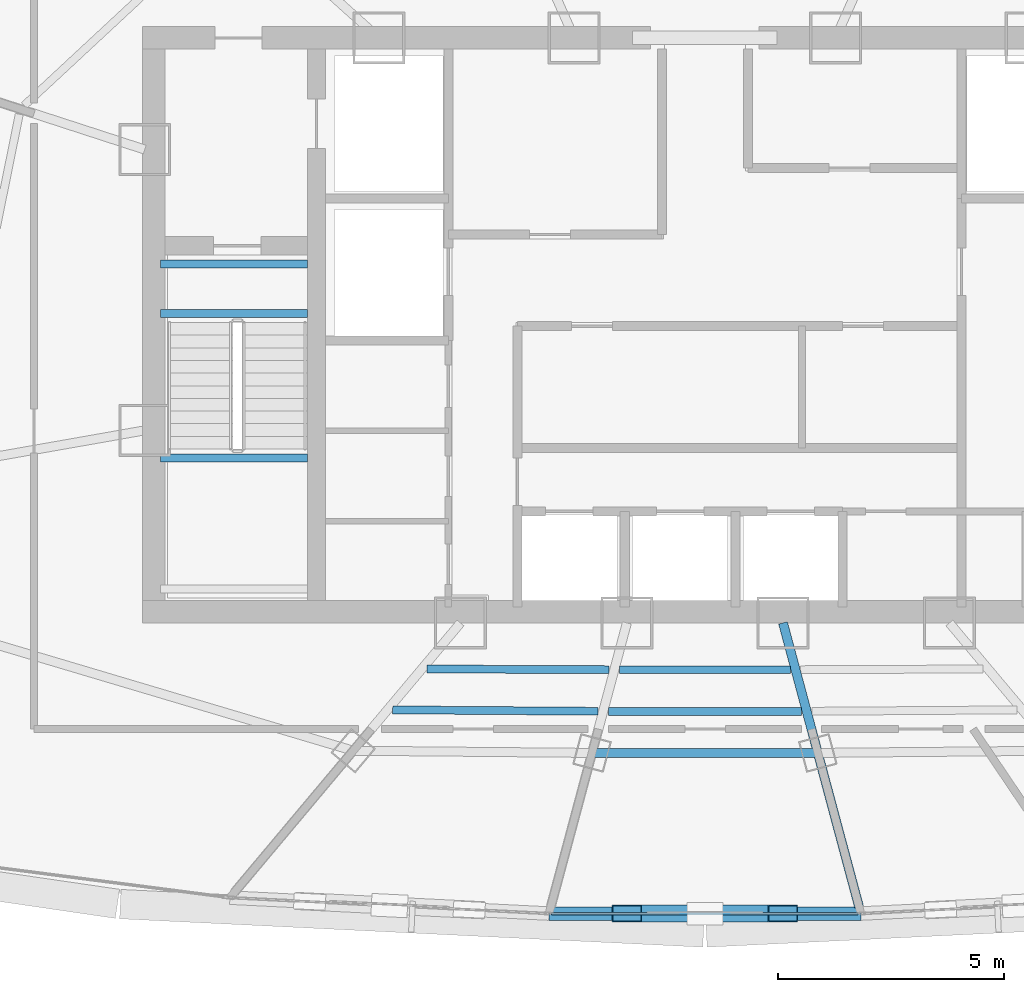
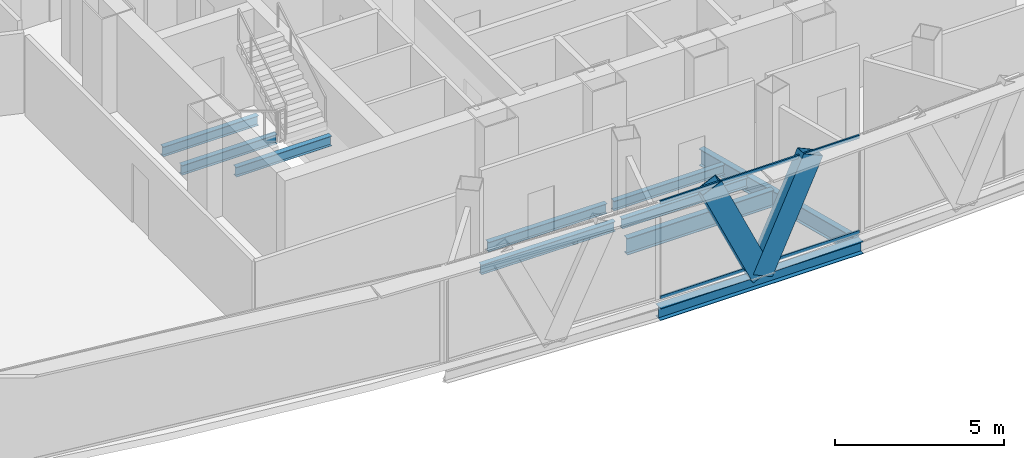
# One storey, part 7 of 33: 10 beams, 4 members, 1 element without a shape of its own.
"""IFC4 building model written with IfcOpenShell, lengths in metres."""

from ifc_helpers import new_model, si_unit, direction, frame, origin, origin_2d, place, context, subcontext, project, spatial, hollow_rectangle, i_section, extrude, source, transform, mapped, material, layer, layer_set, material_profile, profile_set, type_object, element, aggregate, save


model = new_model("IFC4")

# Units and contexts
model_context = context("Model", 3, precision=1e-05, world=origin(), true_north=direction((0.0, 1.0)))
body_context = subcontext(model_context, "Body", "Model", "MODEL_VIEW")
ifc_project = project(units=[si_unit("LENGTHUNIT", "METRE"), si_unit("AREAUNIT", "SQUARE_METRE"), si_unit("VOLUMEUNIT", "CUBIC_METRE"), si_unit("PLANEANGLEUNIT", "RADIAN"), si_unit("MASSUNIT", "GRAM", prefix="KILO"), si_unit("THERMODYNAMICTEMPERATUREUNIT", "KELVIN"), si_unit("POWERUNIT", "WATT")], contexts=[model_context])

# Site, building, storey
site_placement = place(None, origin())
site = spatial("IfcSite", under=ifc_project, at=site_placement, CompositionType="ELEMENT")
building_placement = place(site_placement, origin())
building = spatial("IfcBuilding", under=site, at=building_placement, Name="Yunzhuo Pagoda Commons", CompositionType="ELEMENT")
storey_placement = place(building_placement, frame((0.0, 0.0, 329.260009765625)))
storey = spatial("IfcBuildingStorey", under=building, at=storey_placement, Name="L82", CompositionType="ELEMENT", Elevation=329.260009765625)

# Beams
ifc_material_1 = material(Name="Structural steel Q355B", Category="steel")
ifc_material_profile_1 = material_profile(ifc_material_1, i_section(OverallWidth=0.175048828125, OverallDepth=0.35009765625, WebThickness=0.007080078125, FlangeThickness=0.010986328125, at=origin_2d()), Name="Structural steel Q355B")
ifc_profile_set_1 = profile_set([ifc_material_profile_1], Name="Structural steel Q355B")
beam_type_1 = type_object("IfcBeamType", Name="B-JS2 Joist HN 350x175x7x11", PredefinedType="JOIST", material=ifc_profile_set_1)
shared_shape_1 = source(origin(), body_context, "Body", "SweptSolid", [
    extrude(i_section(OverallWidth=0.175048828125, OverallDepth=0.35009765625, WebThickness=0.007080078125, FlangeThickness=0.010986328125, at=origin_2d()), origin(), (0.0, 0.0, 1.0), 3.25),
])
for number, where, z_axis, x_axis, name in (
    (1, (35.949951171875, 30.89990234375, 1.5), (1.0, 0.0, 0.0), (0.0, 1.0, 0.0), "L82 ST1 landing support beam 88B"),
    (2, (35.949951171875, 34.10009765625, -0.375), (1.0, 0.0, 0.0), (0.0, 1.0, 0.0), "L82 ST1 landing support beam 186A"),
    (3, (35.949951171875, 35.199951171875, -0.375), (1.0, 0.0, 0.0), (0.0, 1.0, 0.0), "L82 ST1 landing support beam 186B"),
):
    element("IfcBeam", number, at=place(storey_placement, frame(where, z_axis=z_axis, x_axis=x_axis)), inside=storey, type_object=beam_type_1, Name=name, PredefinedType="JOIST", context=body_context, shape_type="MappedRepresentation", body=[
        mapped(shared_shape_1, transform((0.0, 0.0, 0.0), scale=1.0)),
    ])
ifc_material_profile_2 = material_profile(ifc_material_1, i_section(OverallWidth=0.300048828125, OverallDepth=0.43994140625, WebThickness=0.010986328125, FlangeThickness=0.01806640625, at=origin_2d()), Name="Structural steel Q355B")
ifc_profile_set_2 = profile_set([ifc_material_profile_2], Name="Structural steel Q355B")
beam_type_2 = type_object("IfcBeamType", Name="B-SP2 Beam HM 440x300x11x18", PredefinedType="BEAM", material=ifc_profile_set_2)
shared_shape_2 = source(origin(), body_context, "Body", "SweptSolid", [
    extrude(i_section(OverallWidth=0.300048828125, OverallDepth=0.43994140625, WebThickness=0.010986328125, FlangeThickness=0.01806640625, at=origin_2d()), origin(), (0.0, 0.0, 1.0), 6.90380859375),
])
beam_1_placement = place(storey_placement, frame((44.548095703125, 20.817138671875, -0.47998046875), z_axis=(1.0, 0.0, 0.0), x_axis=(0.0, 1.0, 0.0)))
element("IfcBeam", 4, at=beam_1_placement, inside=storey, type_object=beam_type_2, Name="L82 facade edge spandrel beam F1.2", PredefinedType="BEAM", context=body_context, shape_type="MappedRepresentation", body=[
    mapped(shared_shape_2, transform((0.0, 0.0, 0.0), scale=1.0)),
])
ifc_material_profile_3 = material_profile(ifc_material_1, i_section(OverallWidth=0.199951171875, OverallDepth=0.60009765625, WebThickness=0.010986328125, FlangeThickness=0.01708984375, at=origin_2d()), Name="Structural steel Q355B")
ifc_profile_set_3 = profile_set([ifc_material_profile_3], Name="Structural steel Q355B")
beam_type_3 = type_object("IfcBeamType", Name="B-RG3 Beam HN 600x200x11x17", PredefinedType="BEAM", material=ifc_profile_set_3)
shared_shape_3 = source(origin(), body_context, "Body", "SweptSolid", [
    extrude(i_section(OverallWidth=0.199951171875, OverallDepth=0.60009765625, WebThickness=0.010986328125, FlangeThickness=0.01708984375, at=origin_2d()), origin(), (0.0, 0.0, 1.0), 4.99853515625),
])
beam_2_placement = place(storey_placement, frame((45.500732421875, 24.372802734375, -0.56005859375), z_axis=(1.0, 0.0, 0.0), x_axis=(0.0, 1.0, 0.0)))
element("IfcBeam", 5, at=beam_2_placement, inside=storey, type_object=beam_type_3, Name="L82 column-ring beam 2", PredefinedType="BEAM", context=body_context, shape_type="MappedRepresentation", body=[
    mapped(shared_shape_3, transform((0.0, 0.0, 0.0), scale=1.0)),
])
shared_shape_4 = source(origin(), body_context, "Body", "SweptSolid", [
    extrude(i_section(OverallWidth=0.199951171875, OverallDepth=0.60009765625, WebThickness=0.010986328125, FlangeThickness=0.01708984375, at=origin_2d()), origin(), (0.0, 0.0, 1.0), 6.5048828125),
])
beam_3_placement = place(storey_placement, frame((51.411865234375, 20.966796875, -0.56005859375), z_axis=(-0.258786113229, 0.965934649756, 0.0), x_axis=(-0.965934649756, -0.258786113229, 0.0)))
element("IfcBeam", 6, at=beam_3_placement, inside=storey, type_object=beam_type_3, Name="L82 radial floor girder F1C3", PredefinedType="BEAM", context=body_context, shape_type="MappedRepresentation", body=[
    mapped(shared_shape_4, transform((0.0, 0.0, 0.0), scale=1.0)),
])
shared_shape_5 = source(origin(), body_context, "Body", "SweptSolid", [
    extrude(i_section(OverallWidth=0.175048828125, OverallDepth=0.35009765625, WebThickness=0.007080078125, FlangeThickness=0.010986328125, at=origin_2d()), origin(), (0.0, 0.0, 1.0), 4.03076171875),
])
beam_4_placement = place(storey_placement, frame((41.848388671875, 26.231201171875, -0.43505859375), z_axis=(0.999991518197, -0.004118680996, 0.0), x_axis=(0.004118680996, 0.999991518197, 0.0)))
element("IfcBeam", 7, at=beam_4_placement, inside=storey, type_object=beam_type_1, Name="L82 composite ring joist 1.1", PredefinedType="JOIST", context=body_context, shape_type="MappedRepresentation", body=[
    mapped(shared_shape_5, transform((0.0, 0.0, 0.0), scale=1.0)),
])
shared_shape_6 = source(origin(), body_context, "Body", "SweptSolid", [
    extrude(i_section(OverallWidth=0.175048828125, OverallDepth=0.35009765625, WebThickness=0.007080078125, FlangeThickness=0.010986328125, at=origin_2d()), origin(), (0.0, 0.0, 1.0), 4.54345703125),
])
beam_5_placement = place(storey_placement, frame((41.089111328125, 25.325927734375, -0.43505859375), z_axis=(0.999975976237, -0.006931590593, 0.0), x_axis=(0.006931590593, 0.999975976237, 0.0)))
element("IfcBeam", 8, at=beam_5_placement, inside=storey, type_object=beam_type_1, Name="L82 composite ring joist 2.1", PredefinedType="JOIST", context=body_context, shape_type="MappedRepresentation", body=[
    mapped(shared_shape_6, transform((0.0, 0.0, 0.0), scale=1.0)),
])
shared_shape_7 = source(origin(), body_context, "Body", "SweptSolid", [
    extrude(i_section(OverallWidth=0.175048828125, OverallDepth=0.35009765625, WebThickness=0.007080078125, FlangeThickness=0.010986328125, at=origin_2d()), origin(), (0.0, 0.0, 1.0), 3.78173828125),
])
beam_6_placement = place(storey_placement, frame((46.109130859375, 26.214111328125, -0.43505859375), z_axis=(1.0, 0.0, 0.0), x_axis=(0.0, 1.0, 0.0)))
element("IfcBeam", 9, at=beam_6_placement, inside=storey, type_object=beam_type_1, Name="L82 composite ring joist 1.2", PredefinedType="JOIST", context=body_context, shape_type="MappedRepresentation", body=[
    mapped(shared_shape_7, transform((0.0, 0.0, 0.0), scale=1.0)),
])
shared_shape_8 = source(origin(), body_context, "Body", "SweptSolid", [
    extrude(i_section(OverallWidth=0.175048828125, OverallDepth=0.35009765625, WebThickness=0.007080078125, FlangeThickness=0.010986328125, at=origin_2d()), origin(), (0.0, 0.0, 1.0), 4.27490234375),
])
beam_7_placement = place(storey_placement, frame((45.862548828125, 25.29345703125, -0.43505859375), z_axis=(1.0, 0.0, 0.0), x_axis=(0.0, 1.0, 0.0)))
element("IfcBeam", 10, at=beam_7_placement, inside=storey, type_object=beam_type_1, Name="L82 composite ring joist 2.2", PredefinedType="JOIST", context=body_context, shape_type="MappedRepresentation", body=[
    mapped(shared_shape_8, transform((0.0, 0.0, 0.0), scale=1.0)),
])

# Members
ifc_material_profile_4 = material_profile(ifc_material_1, hollow_rectangle(XDim=0.3798828125, YDim=0.719970703125, WallThickness=0.02001953125, at=origin_2d()), Name="Structural steel Q355B")
ifc_profile_set_4 = profile_set([ifc_material_profile_4], Name="Structural steel Q355B")
member_type_1 = type_object("IfcMemberType", Name="M-DL3 Brace BOX 720x380x20", PredefinedType="BRACE", material=ifc_profile_set_4)
shared_shape_9 = source(origin(), body_context, "Body", "SweptSolid", [
    extrude(hollow_rectangle(XDim=0.3798828125, YDim=0.719970703125, WallThickness=0.02001953125, at=origin_2d()), origin(), (0.0, 0.0, 1.0), 4.128173828125),
])
for number, where, z_axis, x_axis, name in (
    (11, (48.0, 20.817138671875, -0.260009765625), (-0.418120367397, 0.0, 0.908391632705), (0.0, -1.0, 0.0), "L82 facade diamond brace F1.2L"),
    (12, (48.0, 20.817138671875, -0.260009765625), (0.418120367397, 0.0, 0.908391632705), (0.0, 1.0, 0.0), "L82 facade diamond brace F1.2R"),
):
    element("IfcMember", number, at=place(storey_placement, frame(where, z_axis=z_axis, x_axis=x_axis)), inside=storey, type_object=member_type_1, Name=name, PredefinedType="BRACE", context=body_context, shape_type="MappedRepresentation", body=[
        mapped(shared_shape_9, transform((0.0, 0.0, 0.0), scale=1.0)),
    ])

# Curtain wall, members
ifc_material_2 = material(Name="Anodized aluminium 6063-T6", Category="aluminium")
ifc_layer = layer(ifc_material_2, 0.139892578125)
ifc_layer_set = layer_set([ifc_layer], Name="Anodized aluminium 6063-T6")
curtain_wall_type = type_object("IfcCurtainWallType", Name="CW-HI High-Zone Ribbon Curtain Wall", PredefinedType="NOTDEFINED", material=ifc_layer_set)
curtain_wall_placement = place(storey_placement, origin())
curtain_wall = element("IfcCurtainWall", 13, at=curtain_wall_placement, inside=storey, type_object=curtain_wall_type, Name="L82 curtain wall CW-L82-F1B3", PredefinedType="NOTDEFINED")
ifc_material_profile_5 = material_profile(ifc_material_2, hollow_rectangle(XDim=0.054931640625, YDim=0.1201171875, WallThickness=0.00341796875, at=origin_2d()), Name="Anodized aluminium 6063-T6")
ifc_profile_set_5 = profile_set([ifc_material_profile_5], Name="Anodized aluminium 6063-T6")
member_type_2 = type_object("IfcMemberType", Name="CW-HI-T Transom RHS 120x55x3.5", PredefinedType="USERDEFINED", material=ifc_profile_set_5)
shared_shape_10 = source(origin(), body_context, "Body", "SweptSolid", [
    extrude(hollow_rectangle(XDim=0.054931640625, YDim=0.1201171875, WallThickness=0.00341796875, at=origin_2d()), origin(), (0.0, 0.0, 1.0), 6.7841796875),
])
member_1_placement = place(storey_placement, frame((44.60791015625, 20.817138671875, 0.027587890625), z_axis=(1.0, 0.0, 0.0), x_axis=(0.0, 1.0, 0.0)))
member_1 = element("IfcMember", 14, at=member_1_placement, type_object=member_type_2, Name="CW transom 1.1", ObjectType="TRANSOM", PredefinedType="USERDEFINED", context=body_context, shape_type="MappedRepresentation", body=[
    mapped(shared_shape_10, transform((0.0, 0.0, 0.0), scale=1.0)),
])
member_2_placement = place(storey_placement, frame((44.60791015625, 20.817138671875, 3.46240234375), z_axis=(1.0, 0.0, 0.0), x_axis=(0.0, 1.0, 0.0)))
member_2 = element("IfcMember", 15, at=member_2_placement, type_object=member_type_2, Name="CW transom 1.2", ObjectType="TRANSOM", PredefinedType="USERDEFINED", context=body_context, shape_type="MappedRepresentation", body=[
    mapped(shared_shape_10, transform((0.0, 0.0, 0.0), scale=1.0)),
])
aggregate(curtain_wall, [member_1, member_2])

save(model, "model.ifc")
